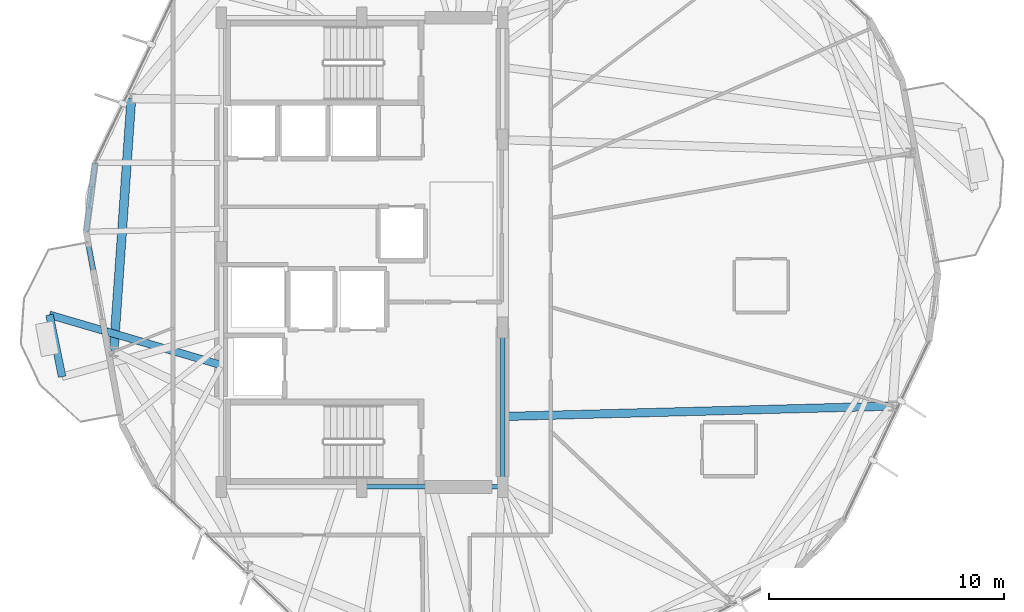
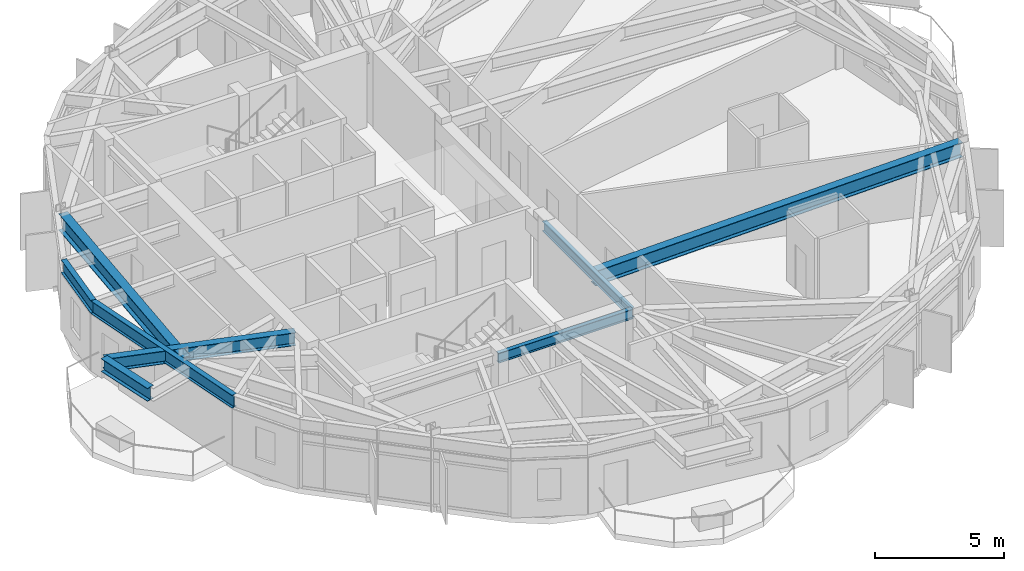
# One storey, part 7 of 23: 8 beams.
"""IFC4 building model written with IfcOpenShell, lengths in metres."""

from ifc_helpers import new_model, si_unit, direction, frame, origin, origin_2d, place, context, subcontext, project, spatial, i_section, extrude, material, material_profile, profile_set, type_object, element, save


model = new_model("IFC4")

# Units and contexts
model_context = context("Model", 3, precision=1e-05, world=origin(), true_north=direction((0.0, 1.0)))
body_context = subcontext(model_context, "Body", "Model", "MODEL_VIEW")
ifc_project = project(units=[si_unit("LENGTHUNIT", "METRE"), si_unit("AREAUNIT", "SQUARE_METRE"), si_unit("VOLUMEUNIT", "CUBIC_METRE"), si_unit("PLANEANGLEUNIT", "RADIAN"), si_unit("MASSUNIT", "GRAM", prefix="KILO")], contexts=[model_context])

# Site, building, storey
site_placement = place(None, origin())
site = spatial("IfcSite", under=ifc_project, at=site_placement, CompositionType="ELEMENT")
building_placement = place(site_placement, origin())
building = spatial("IfcBuilding", under=site, at=building_placement, Name="Soratama Intermodal Tower", CompositionType="ELEMENT")
storey_placement = place(building_placement, frame((0.0, 0.0, 139.0)))
storey = spatial("IfcBuildingStorey", under=building, at=storey_placement, Name="L33", CompositionType="ELEMENT", Elevation=139.0)

# Beams
ifc_material_1 = material(Name="Structural steel ASTM A992 Grade 50", Category="steel")
ifc_material_profile_1 = material_profile(ifc_material_1, i_section(OverallWidth=0.324951171875, OverallDepth=0.615966796875, WebThickness=0.013916015625, FlangeThickness=0.021484375, FilletRadius=0.013916015625, at=origin_2d()), Name="W24X117")
ifc_profile_set_1 = profile_set([ifc_material_profile_1], Name="Structural steel ASTM A992 Grade 50")
beam_type_1 = type_object("IfcBeamType", Name="BM-CANT-W24X117", PredefinedType="BEAM", material=ifc_profile_set_1)
beam_1_placement = place(storey_placement, frame((25.282958984375, 22.3349609375, 2.991943359375), z_axis=(0.200837101372, -0.979624651952, 0.0), x_axis=(0.979624651952, 0.200837101372, 0.0)))
element("IfcBeam", 1, at=beam_1_placement, inside=storey, type_object=beam_type_1, Name="BM-L33-CBHDR-3", PredefinedType="BEAM", context=body_context, shape_type="SweptSolid", body=[
    extrude(i_section(OverallWidth=0.324951171875, OverallDepth=0.615966796875, WebThickness=0.013916015625, FlangeThickness=0.021484375, FilletRadius=0.013916015625, at=origin_2d()), origin(), (0.0, 0.0, 1.0), 2.69384765625),
])
beam_2_placement = place(storey_placement, frame((32.56201171875, 20.2060546875, 2.991943359375), z_axis=(-0.959792422987, 0.280710713683, 0.0), x_axis=(-0.280710713683, -0.959792422987, 0.0)))
element("IfcBeam", 2, at=beam_2_placement, inside=storey, type_object=beam_type_1, Name="BM-L33-CANT-3-1", PredefinedType="BEAM", context=body_context, shape_type="SweptSolid", body=[
    extrude(i_section(OverallWidth=0.324951171875, OverallDepth=0.615966796875, WebThickness=0.013916015625, FlangeThickness=0.021484375, FilletRadius=0.013916015625, at=origin_2d()), origin(), (0.0, 0.0, 1.0), 7.583984375),
])
ifc_material_2 = material(Name="Structural steel ASTM A992 Grade 50", Category="steel")
ifc_material_profile_2 = material_profile(ifc_material_2, i_section(OverallWidth=0.19091796875, OverallDepth=0.4599609375, WebThickness=0.010009765625, FlangeThickness=0.01611328125, FilletRadius=0.010986328125, at=origin_2d()), Name="W18X55")
ifc_profile_set_2 = profile_set([ifc_material_profile_2], Name="Structural steel ASTM A992 Grade 50")
beam_type_2 = type_object("IfcBeamType", Name="BM-FLR-W18X55", PredefinedType="BEAM", material=ifc_profile_set_2)
beam_3_placement = place(storey_placement, frame((38.60009765625, 15.0, 3.070068359375), z_axis=(1.0, 0.0, 0.0), x_axis=(0.0, 1.0, 0.0)))
element("IfcBeam", 3, at=beam_3_placement, inside=storey, type_object=beam_type_2, Name="BM-L33-CRING-02", PredefinedType="BEAM", context=body_context, shape_type="SweptSolid", body=[
    extrude(i_section(OverallWidth=0.19091796875, OverallDepth=0.4599609375, WebThickness=0.010009765625, FlangeThickness=0.01611328125, FilletRadius=0.010986328125, at=origin_2d()), origin(), (0.0, 0.0, 1.0), 6.0),
])
beam_4_placement = place(storey_placement, frame((44.60009765625, 15.0, 3.070068359375), z_axis=(0.0, 1.0, 0.0), x_axis=(-1.0, 0.0, 0.0)))
element("IfcBeam", 4, at=beam_4_placement, inside=storey, type_object=beam_type_2, Name="BM-L33-CRING-03", PredefinedType="BEAM", context=body_context, shape_type="SweptSolid", body=[
    extrude(i_section(OverallWidth=0.19091796875, OverallDepth=0.4599609375, WebThickness=0.010009765625, FlangeThickness=0.01611328125, FilletRadius=0.010986328125, at=origin_2d()), origin(), (0.0, 0.0, 1.0), 6.800048828125),
])
ifc_material_3 = material(Name="Structural steel ASTM A992 Grade 50", Category="steel")
ifc_material_profile_3 = material_profile(ifc_material_3, i_section(OverallWidth=0.35498046875, OverallDepth=0.695068359375, WebThickness=0.015380859375, FlangeThickness=0.02490234375, FilletRadius=0.01611328125, at=origin_2d()), Name="W27X146")
ifc_profile_set_3 = profile_set([ifc_material_profile_3], Name="Structural steel ASTM A992 Grade 50")
beam_type_3 = type_object("IfcBeamType", Name="BM-RING-W27X146", PredefinedType="BEAM", material=ifc_profile_set_3)
beam_5_placement = place(storey_placement, frame((44.60009765625, 18.0, 2.952392578125), z_axis=(0.999643459503, 0.026701196077, 0.0), x_axis=(-0.026701196077, 0.999643459503, 0.0)))
element("IfcBeam", 5, at=beam_5_placement, inside=storey, type_object=beam_type_3, Name="BM-L33-RAD-10", PredefinedType="BEAM", context=body_context, shape_type="SweptSolid", body=[
    extrude(i_section(OverallWidth=0.35498046875, OverallDepth=0.695068359375, WebThickness=0.015380859375, FlangeThickness=0.02490234375, FilletRadius=0.01611328125, at=origin_2d()), origin(), (0.0, 0.0, 1.0), 16.6318359375),
])
ifc_material_4 = material(Name="Structural steel ASTM A992 Grade 50", Category="steel")
ifc_material_profile_4 = material_profile(ifc_material_4, i_section(OverallWidth=0.382080078125, OverallDepth=0.779052734375, WebThickness=0.01806640625, FlangeThickness=0.030029296875, FilletRadius=0.01806640625, at=origin_2d()), Name="W30X191")
ifc_profile_set_4 = profile_set([ifc_material_profile_4], Name="Structural steel ASTM A992 Grade 50")
beam_type_4 = type_object("IfcBeamType", Name="BM-RING-W30X191", PredefinedType="BEAM", material=ifc_profile_set_4)
beam_6_placement = place(storey_placement, frame((28.77392578125, 31.555908203125, 2.910400390625), z_axis=(-0.069702217409, -0.99756784275, 0.0), x_axis=(0.99756784275, -0.069702217409, 0.0)))
element("IfcBeam", 6, at=beam_6_placement, inside=storey, type_object=beam_type_4, Name="BM-L33-RING-05", PredefinedType="BEAM", context=body_context, shape_type="SweptSolid", body=[
    extrude(i_section(OverallWidth=0.382080078125, OverallDepth=0.779052734375, WebThickness=0.01806640625, FlangeThickness=0.030029296875, FilletRadius=0.01806640625, at=origin_2d()), origin(), (0.0, 0.0, 1.0), 10.816162109375),
])
ifc_material_5 = material(Name="Structural steel ASTM A992 Grade 50", Category="steel")
ifc_material_profile_5 = material_profile(ifc_material_5, i_section(OverallWidth=0.22900390625, OverallDepth=0.612060546875, WebThickness=0.011962890625, FlangeThickness=0.01953125, FilletRadius=0.012939453125, at=origin_2d()), Name="W24X84")
ifc_profile_set_5 = profile_set([ifc_material_profile_5], Name="Structural steel ASTM A992 Grade 50")
beam_type_5 = type_object("IfcBeamType", Name="BM-SPN-W24X84", PredefinedType="SPANDREL", material=ifc_profile_set_5)
beam_7_placement = place(storey_placement, frame((27.22705078125, 28.81689453125, 2.993896484375), z_axis=(-0.129764825667, -0.991544799805, 0.0), x_axis=(0.991544799805, -0.129764825667, 0.0)))
element("IfcBeam", 7, at=beam_7_placement, inside=storey, type_object=beam_type_5, Name="BS-L33-CRN04", PredefinedType="SPANDREL", context=body_context, shape_type="SweptSolid", body=[
    extrude(i_section(OverallWidth=0.22900390625, OverallDepth=0.612060546875, WebThickness=0.011962890625, FlangeThickness=0.01953125, FilletRadius=0.012939453125, at=origin_2d()), origin(), (0.0, 0.0, 1.0), 2.967041015625),
])
beam_8_placement = place(storey_placement, frame((26.842041015625, 25.875, 2.993896484375), z_axis=(0.183369798935, -0.983044005545, 0.0), x_axis=(0.983044005545, 0.183369798935, 0.0)))
element("IfcBeam", 8, at=beam_8_placement, inside=storey, type_object=beam_type_5, Name="BS-L33-F05", PredefinedType="SPANDREL", context=body_context, shape_type="SweptSolid", body=[
    extrude(i_section(OverallWidth=0.22900390625, OverallDepth=0.612060546875, WebThickness=0.011962890625, FlangeThickness=0.01953125, FilletRadius=0.012939453125, at=origin_2d()), origin(), (0.0, 0.0, 1.0), 8.3759765625),
])

save(model, "model.ifc")
